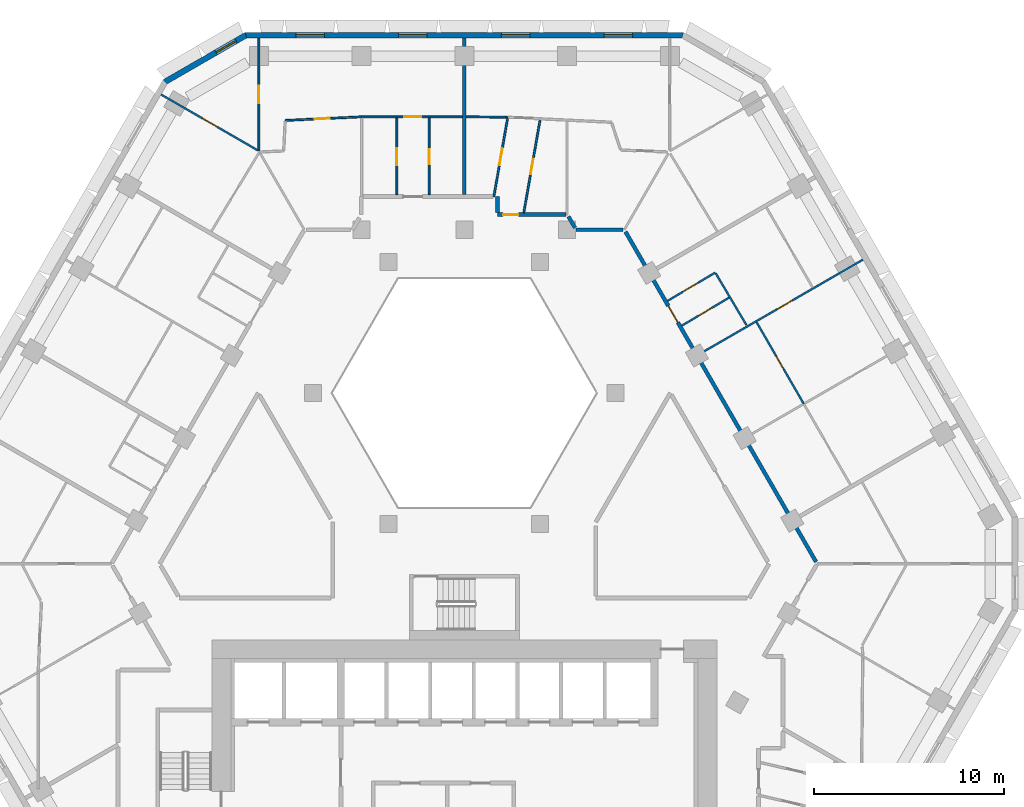
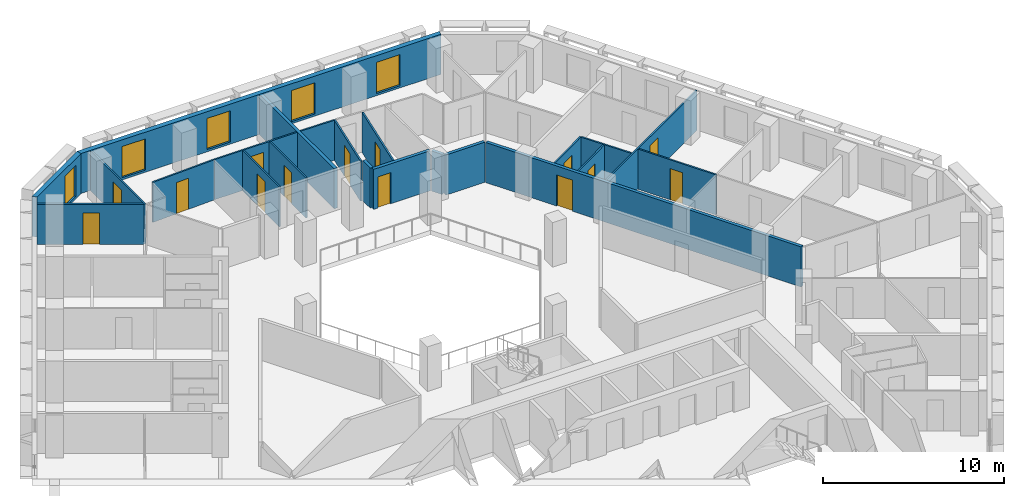
# One storey, part 8 of 15: 22 walls, 14 doors, 5 windows, 19 openings.
"""IFC4 building model written with IfcOpenShell, lengths in metres."""

from ifc_helpers import new_model, si_unit, direction, frame, frame_2d, origin, place, context, subcontext, project, spatial, polyline, rectangle, outline, extrude, material, layer, layer_set, type_object, element, fill, save


model = new_model("IFC4")

# Units and contexts
model_context = context("Model", 3, precision=1e-05, world=origin(), true_north=direction((0.0, 1.0)))
body_context = subcontext(model_context, "Body", "Model", "MODEL_VIEW")
ifc_project = project(units=[si_unit("LENGTHUNIT", "METRE"), si_unit("AREAUNIT", "SQUARE_METRE"), si_unit("VOLUMEUNIT", "CUBIC_METRE"), si_unit("PLANEANGLEUNIT", "RADIAN"), si_unit("MASSUNIT", "GRAM", prefix="KILO")], contexts=[model_context])

# Site, building, storey
site_placement = place(None, origin())
site = spatial("IfcSite", under=ifc_project, at=site_placement, CompositionType="ELEMENT")
building_placement = place(site_placement, origin())
building = spatial("IfcBuilding", under=site, at=building_placement, Name="Beryl Residences", CompositionType="ELEMENT")
storey_placement = place(building_placement, frame((0.0, 0.0, 72.0)))
storey = spatial("IfcBuildingStorey", under=building, at=storey_placement, Name="L21", CompositionType="ELEMENT", Elevation=72.0)

# Wall, openings, windows
ifc_material_1 = material(Name="Composite metal panel with mineral wool insulation")
ifc_layer_1 = layer(ifc_material_1, 0.300048828125)
ifc_layer_set_1 = layer_set([ifc_layer_1], Name="ES1 pale metal composite panel wall 300 mm")
wall_type_1 = type_object("IfcWallType", Name="ES1 pale metal composite panel wall 300 mm", PredefinedType="SOLIDWALL", material=ifc_layer_set_1)
wall_1_placement = place(storey_placement, frame((11.547119140625, 26.85009765625, 0.0), z_axis=(0.0, 0.0, 1.0), x_axis=(-1.0, 0.0, 0.0)))
wall_1 = element("IfcWall", 1, at=wall_1_placement, inside=storey, type_object=wall_type_1, Name="ES1 external wall L21 N", PredefinedType="SOLIDWALL", context=body_context, shape_type="SweptSolid", body=[
    extrude(outline(polyline([(0.0, -0.14990234375), (23.09423828125, -0.14990234375), (23.013916015625, 0.14990234375), (0.080322265625, 0.14990234375), (0.0, -0.14990234375)])), origin(), (0.0, 0.0, 1.0), 2.699951171875),
])
opening_1_placement = place(wall_1_placement, frame((2.677978515625, 0.0, 0.14990234375)))
opening_1 = element("IfcOpeningElement", 2, at=opening_1_placement, cuts=wall_1, Name="Opening W1", PredefinedType="OPENING", context=body_context, shape_type="SweptSolid", body=[
    extrude(rectangle(XDim=1.5, YDim=2.10009765625, at=frame_2d((0.75, 1.050048828125))), frame((0.0, 0.159912109375, 0.0), z_axis=(0.0, -1.0, 0.0), x_axis=(1.0, 0.0, 0.0)), (0.0, 0.0, 1.0), 0.320068359375),
])
opening_2_placement = place(wall_1_placement, frame((8.092041015625, 0.0, 0.14990234375)))
opening_2 = element("IfcOpeningElement", 3, at=opening_2_placement, cuts=wall_1, Name="Opening W1", PredefinedType="OPENING", context=body_context, shape_type="SweptSolid", body=[
    extrude(rectangle(XDim=1.5, YDim=2.10009765625, at=frame_2d((0.75, 1.050048828125))), frame((0.0, 0.159912109375, 0.0), z_axis=(0.0, -1.0, 0.0), x_axis=(1.0, 0.0, 0.0)), (0.0, 0.0, 1.0), 0.320068359375),
])
opening_3_placement = place(wall_1_placement, frame((13.50390625, 0.0, 0.14990234375)))
opening_3 = element("IfcOpeningElement", 4, at=opening_3_placement, cuts=wall_1, Name="Opening W1", PredefinedType="OPENING", context=body_context, shape_type="SweptSolid", body=[
    extrude(rectangle(XDim=1.5, YDim=2.10009765625, at=frame_2d((0.75, 1.050048828125))), frame((0.0, 0.159912109375, 0.0), z_axis=(0.0, -1.0, 0.0), x_axis=(1.0, 0.0, 0.0)), (0.0, 0.0, 1.0), 0.320068359375),
])
opening_4_placement = place(wall_1_placement, frame((18.9169921875, 0.0, 0.14990234375)))
opening_4 = element("IfcOpeningElement", 5, at=opening_4_placement, cuts=wall_1, Name="Opening W1", PredefinedType="OPENING", context=body_context, shape_type="SweptSolid", body=[
    extrude(rectangle(XDim=1.5, YDim=2.10009765625, at=frame_2d((0.75, 1.050048828125))), frame((0.0, 0.159912109375, 0.0), z_axis=(0.0, -1.0, 0.0), x_axis=(1.0, 0.0, 0.0)), (0.0, 0.0, 1.0), 0.320068359375),
])
ifc_material_2 = material(Name="Aluminium and clear glass", Category="aluminium")
window_type_1 = type_object("IfcWindowType", Name="W1 cell window 1500 x 2100 mm", PartitioningType="SINGLE_PANEL", PredefinedType="WINDOW", material=ifc_material_2)
window_1_placement = place(opening_1_placement, origin())
window_1 = element("IfcWindow", 6, at=window_1_placement, inside=storey, type_object=window_type_1, Name="W1 window L21 N 2", OverallHeight=2.10009765625, OverallWidth=1.5, PartitioningType="SINGLE_PANEL", PredefinedType="WINDOW", context=body_context, shape_type="SweptSolid", body=[
    extrude(rectangle(XDim=1.5, YDim=2.10009765625, at=frame_2d((0.75, 1.050048828125))), frame((0.0, 0.030029296875, 0.0), z_axis=(0.0, -1.0, 0.0), x_axis=(1.0, 0.0, 0.0)), (0.0, 0.0, 1.0), 0.06005859375),
])
fill(opening_1, window_1)
window_2_placement = place(opening_2_placement, origin())
window_2 = element("IfcWindow", 7, at=window_2_placement, inside=storey, type_object=window_type_1, Name="W1 window L21 N 4", OverallHeight=2.10009765625, OverallWidth=1.5, PartitioningType="SINGLE_PANEL", PredefinedType="WINDOW", context=body_context, shape_type="SweptSolid", body=[
    extrude(rectangle(XDim=1.5, YDim=2.10009765625, at=frame_2d((0.75, 1.050048828125))), frame((0.0, 0.030029296875, 0.0), z_axis=(0.0, -1.0, 0.0), x_axis=(1.0, 0.0, 0.0)), (0.0, 0.0, 1.0), 0.06005859375),
])
fill(opening_2, window_2)
window_3_placement = place(opening_3_placement, origin())
window_3 = element("IfcWindow", 8, at=window_3_placement, inside=storey, type_object=window_type_1, Name="W1 window L21 N 6", OverallHeight=2.10009765625, OverallWidth=1.5, PartitioningType="SINGLE_PANEL", PredefinedType="WINDOW", context=body_context, shape_type="SweptSolid", body=[
    extrude(rectangle(XDim=1.5, YDim=2.10009765625, at=frame_2d((0.75, 1.050048828125))), frame((0.0, 0.030029296875, 0.0), z_axis=(0.0, -1.0, 0.0), x_axis=(1.0, 0.0, 0.0)), (0.0, 0.0, 1.0), 0.06005859375),
])
fill(opening_3, window_3)
window_4_placement = place(opening_4_placement, origin())
window_4 = element("IfcWindow", 9, at=window_4_placement, inside=storey, type_object=window_type_1, Name="W1 window L21 N 8", OverallHeight=2.10009765625, OverallWidth=1.5, PartitioningType="SINGLE_PANEL", PredefinedType="WINDOW", context=body_context, shape_type="SweptSolid", body=[
    extrude(rectangle(XDim=1.5, YDim=2.10009765625, at=frame_2d((0.75, 1.050048828125))), frame((0.0, 0.030029296875, 0.0), z_axis=(0.0, -1.0, 0.0), x_axis=(1.0, 0.0, 0.0)), (0.0, 0.0, 1.0), 0.06005859375),
])
fill(opening_4, window_4)

# Wall, opening, window
wall_2_placement = place(storey_placement, frame((-11.471923828125, 26.8701171875, 0.0), z_axis=(0.0, 0.0, 1.0), x_axis=(-0.866022959057, -0.500004234368, 0.0)))
wall_2 = element("IfcWall", 10, at=wall_2_placement, inside=storey, type_object=wall_type_1, Name="ES1 external wall L21 N-NW", PredefinedType="SOLIDWALL", context=body_context, shape_type="SweptSolid", body=[
    extrude(outline(polyline([(0.0, -0.14990234375), (5.0, -0.14990234375), (4.919677734375, 0.14990234375), (0.080322265625, 0.14990234375), (0.0, -0.14990234375)])), origin(), (0.0, 0.0, 1.0), 2.699951171875),
])
opening_5_placement = place(wall_2_placement, frame((0.64990234375, 0.0, 0.14990234375)))
opening_5 = element("IfcOpeningElement", 11, at=opening_5_placement, cuts=wall_2, Name="Opening W2", PredefinedType="OPENING", context=body_context, shape_type="SweptSolid", body=[
    extrude(rectangle(XDim=1.199951171875, YDim=2.10009765625, at=frame_2d((0.60009765625, 1.050048828125))), frame((0.0, 0.159912109375, 0.0), z_axis=(0.0, -1.0, 0.0), x_axis=(1.0, 0.0, 0.0)), (0.0, 0.0, 1.0), 0.320068359375),
])
ifc_material_3 = material(Name="Aluminium and clear glass", Category="aluminium")
window_type_2 = type_object("IfcWindowType", Name="W2 chamfer window 1200 x 2100 mm", PartitioningType="SINGLE_PANEL", PredefinedType="WINDOW", material=ifc_material_3)
window_5_placement = place(opening_5_placement, origin())
window_5 = element("IfcWindow", 12, at=window_5_placement, inside=storey, type_object=window_type_2, Name="W2 window L21 N-NW 1", OverallHeight=2.10009765625, OverallWidth=1.199951171875, PartitioningType="SINGLE_PANEL", PredefinedType="WINDOW", context=body_context, shape_type="SweptSolid", body=[
    extrude(rectangle(XDim=1.199951171875, YDim=2.10009765625, at=frame_2d((0.60009765625, 1.050048828125))), frame((0.0, 0.030029296875, 0.0), z_axis=(0.0, -1.0, 0.0), x_axis=(1.0, 0.0, 0.0)), (0.0, 0.0, 1.0), 0.06005859375),
])
fill(opening_5, window_5)

# Walls
ifc_material_4 = material(Name="Gypsum board partition on steel studs", Category="steel")
ifc_layer_2 = layer(ifc_material_4, 0.10009765625)
ifc_layer_set_2 = layer_set([ifc_layer_2], Name="PT1 partition 100 mm gypsum board on steel studs")
wall_type_2 = type_object("IfcWallType", Name="PT1 partition 100 mm gypsum board on steel studs", PredefinedType="PARTITIONING", material=ifc_layer_set_2)
wall_3_placement = place(storey_placement, frame((0.09912109375, 22.549072265625, 0.0), z_axis=(0.0, 0.0, 1.0), x_axis=(0.99995279897, -0.009715957599, 0.0)))
element("IfcWall", 13, at=wall_3_placement, inside=storey, type_object=wall_type_2, Name="Wall PT1 L21 001", PredefinedType="PARTITIONING", context=body_context, shape_type="SweptSolid", body=[
    extrude(rectangle(XDim=2.160888671875, YDim=0.10009765625, at=frame_2d((1.08056640625, 0.0))), origin(), (0.0, 0.0, 1.0), 2.699951171875),
])
wall_4_placement = place(storey_placement, frame((13.2470703125, 14.300048828125, 0.0), z_axis=(0.0, 0.0, 1.0), x_axis=(0.510312234073, -0.85998919979, 0.0)))
element("IfcWall", 14, at=wall_4_placement, inside=storey, type_object=wall_type_2, Name="Wall PT1 L21 004", PredefinedType="PARTITIONING", context=body_context, shape_type="SweptSolid", body=[
    extrude(rectangle(XDim=3.162841796875, YDim=0.10009765625, at=frame_2d((1.58154296875, 0.0))), origin(), (0.0, 0.0, 1.0), 2.699951171875),
])

# Wall, opening, door
wall_5_placement = place(storey_placement, frame((15.39794921875, 11.73095703125, 0.0), z_axis=(0.0, 0.0, 1.0), x_axis=(0.500010064822, -0.866019592779, 0.0)))
wall_5 = element("IfcWall", 15, at=wall_5_placement, inside=storey, type_object=wall_type_2, Name="Wall PT1 L21 006", PredefinedType="PARTITIONING", context=body_context, shape_type="SweptSolid", body=[
    extrude(rectangle(XDim=4.97216796875, YDim=0.10009765625, at=frame_2d((2.486083984375, 0.0))), origin(), (0.0, 0.0, 1.0), 2.699951171875),
])
opening_6_placement = place(wall_5_placement, frame((2.06103515625, 0.0, 0.0)))
opening_6 = element("IfcOpeningElement", 16, at=opening_6_placement, cuts=wall_5, Name="Opening D0814", PredefinedType="OPENING", context=body_context, shape_type="SweptSolid", body=[
    extrude(rectangle(XDim=0.800048828125, YDim=2.10009765625, at=frame_2d((0.39990234375, 1.050048828125))), frame((0.0, 0.06005859375, 0.0), z_axis=(0.0, -1.0, 0.0), x_axis=(1.0, 0.0, 0.0)), (0.0, 0.0, 1.0), 0.1201171875),
])
ifc_material_5 = material(Name="Timber door leaf", Category="wood")
door_type_1 = type_object("IfcDoorType", Name="D3 bathroom door 800 x 2100 mm", OperationType="SINGLE_SWING_LEFT", PredefinedType="DOOR", material=ifc_material_5)
door_1_placement = place(opening_6_placement, origin())
door_1 = element("IfcDoor", 17, at=door_1_placement, inside=storey, type_object=door_type_1, Name="Door D0814 L21 001", OperationType="SINGLE_SWING_RIGHT", OverallHeight=2.10009765625, OverallWidth=0.800048828125, PredefinedType="DOOR", context=body_context, shape_type="SweptSolid", body=[
    extrude(rectangle(XDim=0.800048828125, YDim=2.10009765625, at=frame_2d((0.39990234375, 1.050048828125))), frame((0.0, 0.02490234375, 0.0), z_axis=(0.0, -1.0, 0.0), x_axis=(1.0, 0.0, 0.0)), (0.0, 0.0, 1.0), 0.050048828125),
])
fill(opening_6, door_1)

wall_6_placement = place(storey_placement, frame((-15.97705078125, 23.72509765625, 0.0), z_axis=(0.0, 0.0, 1.0), x_axis=(0.866028213039, -0.499995134196, 0.0)))
wall_6 = element("IfcWall", 18, at=wall_6_placement, inside=storey, type_object=wall_type_2, Name="Wall PT1 L21 025", PredefinedType="PARTITIONING", context=body_context, shape_type="SweptSolid", body=[
    extrude(rectangle(XDim=5.89013671875, YDim=0.10009765625, at=frame_2d((2.945068359375, 0.0))), origin(), (0.0, 0.0, 1.0), 2.699951171875),
])
opening_7_placement = place(wall_6_placement, frame((2.52392578125, 0.0, 0.0)))
opening_7 = element("IfcOpeningElement", 19, at=opening_7_placement, cuts=wall_6, Name="Opening D0829", PredefinedType="OPENING", context=body_context, shape_type="SweptSolid", body=[
    extrude(rectangle(XDim=0.89990234375, YDim=2.10009765625, at=frame_2d((0.449951171875, 1.050048828125))), frame((0.0, 0.06005859375, 0.0), z_axis=(0.0, -1.0, 0.0), x_axis=(1.0, 0.0, 0.0)), (0.0, 0.0, 1.0), 0.1201171875),
])
ifc_material_6 = material(Name="Timber door leaf", Category="wood")
door_type_2 = type_object("IfcDoorType", Name="D2 room door 900 x 2100 mm", OperationType="SINGLE_SWING_LEFT", PredefinedType="DOOR", material=ifc_material_6)
door_2_placement = place(opening_7_placement, origin())
door_2 = element("IfcDoor", 20, at=door_2_placement, inside=storey, type_object=door_type_2, Name="Door D0829 L21 001", OperationType="SINGLE_SWING_LEFT", OverallHeight=2.10009765625, OverallWidth=0.89990234375, PredefinedType="DOOR", context=body_context, shape_type="SweptSolid", body=[
    extrude(rectangle(XDim=0.89990234375, YDim=2.10009765625, at=frame_2d((0.449951171875, 1.050048828125))), frame((0.0, 0.02490234375, 0.0), z_axis=(0.0, -1.0, 0.0), x_axis=(1.0, 0.0, 0.0)), (0.0, 0.0, 1.0), 0.050048828125),
])
fill(opening_7, door_2)

wall_7_placement = place(storey_placement, frame((-5.384033203125, 22.550048828125, 0.0), z_axis=(0.0, 0.0, 1.0), x_axis=(1.0, 0.0, 0.0)))
wall_7 = element("IfcWall", 21, at=wall_7_placement, inside=storey, type_object=wall_type_2, Name="Wall PT1 L21 032", PredefinedType="PARTITIONING", context=body_context, shape_type="SweptSolid", body=[
    extrude(rectangle(XDim=5.282958984375, YDim=0.10009765625, at=frame_2d((2.6416015625, 0.0))), origin(), (0.0, 0.0, 1.0), 2.699951171875),
])
opening_8_placement = place(wall_7_placement, frame((2.22607421875, 0.0, 0.0)))
opening_8 = element("IfcOpeningElement", 22, at=opening_8_placement, cuts=wall_7, Name="Opening D0826", PredefinedType="OPENING", context=body_context, shape_type="SweptSolid", body=[
    extrude(rectangle(XDim=0.89990234375, YDim=2.10009765625, at=frame_2d((0.449951171875, 1.050048828125))), frame((0.0, 0.06005859375, 0.0), z_axis=(0.0, -1.0, 0.0), x_axis=(1.0, 0.0, 0.0)), (0.0, 0.0, 1.0), 0.1201171875),
])
door_3_placement = place(opening_8_placement, origin())
door_3 = element("IfcDoor", 23, at=door_3_placement, inside=storey, type_object=door_type_2, Name="Door D0826 L21 001", OperationType="SINGLE_SWING_RIGHT", OverallHeight=2.10009765625, OverallWidth=0.89990234375, PredefinedType="DOOR", context=body_context, shape_type="SweptSolid", body=[
    extrude(rectangle(XDim=0.89990234375, YDim=2.10009765625, at=frame_2d((0.449951171875, 1.050048828125))), frame((0.0, 0.02490234375, 0.0), z_axis=(0.0, -1.0, 0.0), x_axis=(1.0, 0.0, 0.0)), (0.0, 0.0, 1.0), 0.050048828125),
])
fill(opening_8, door_3)

wall_8_placement = place(storey_placement, frame((3.134033203125, 17.5, 0.0), z_axis=(0.0, 0.0, 1.0), x_axis=(0.172821216702, 0.984953210593, 0.0)))
wall_8 = element("IfcWall", 24, at=wall_8_placement, inside=storey, type_object=wall_type_2, Name="Wall PT1 L21 042", PredefinedType="PARTITIONING", context=body_context, shape_type="SweptSolid", body=[
    extrude(rectangle(XDim=4.9697265625, YDim=0.10009765625, at=frame_2d((2.48486328125, 0.0))), origin(), (0.0, 0.0, 1.0), 2.699951171875),
])
opening_9_placement = place(wall_8_placement, frame((2.05908203125, 0.0, 0.0)))
opening_9 = element("IfcOpeningElement", 25, at=opening_9_placement, cuts=wall_8, Name="Opening D0816", PredefinedType="OPENING", context=body_context, shape_type="SweptSolid", body=[
    extrude(rectangle(XDim=0.800048828125, YDim=2.10009765625, at=frame_2d((0.39990234375, 1.050048828125))), frame((0.0, 0.06005859375, 0.0), z_axis=(0.0, -1.0, 0.0), x_axis=(1.0, 0.0, 0.0)), (0.0, 0.0, 1.0), 0.1201171875),
])
door_4_placement = place(opening_9_placement, origin())
door_4 = element("IfcDoor", 26, at=door_4_placement, inside=storey, type_object=door_type_1, Name="Door D0816 L21 001", OperationType="SINGLE_SWING_RIGHT", OverallHeight=2.10009765625, OverallWidth=0.800048828125, PredefinedType="DOOR", context=body_context, shape_type="SweptSolid", body=[
    extrude(rectangle(XDim=0.800048828125, YDim=2.10009765625, at=frame_2d((0.39990234375, 1.050048828125))), frame((0.0, 0.02490234375, 0.0), z_axis=(0.0, -1.0, 0.0), x_axis=(1.0, 0.0, 0.0)), (0.0, 0.0, 1.0), 0.050048828125),
])
fill(opening_9, door_4)

wall_9_placement = place(storey_placement, frame((1.556884765625, 18.35009765625, 0.0), z_axis=(0.0, 0.0, 1.0), x_axis=(0.173062973099, 0.984910761106, 0.0)))
wall_9 = element("IfcWall", 27, at=wall_9_placement, inside=storey, type_object=wall_type_2, Name="Wall PT1 L21 043", PredefinedType="PARTITIONING", context=body_context, shape_type="SweptSolid", body=[
    extrude(rectangle(XDim=4.241943359375, YDim=0.10009765625, at=frame_2d((2.12109375, 0.0))), origin(), (0.0, 0.0, 1.0), 2.699951171875),
])
opening_10_placement = place(wall_9_placement, frame((1.6708984375, 0.0, 0.0)))
opening_10 = element("IfcOpeningElement", 28, at=opening_10_placement, cuts=wall_9, Name="Opening D0817", PredefinedType="OPENING", context=body_context, shape_type="SweptSolid", body=[
    extrude(rectangle(XDim=0.89990234375, YDim=2.10009765625, at=frame_2d((0.449951171875, 1.050048828125))), frame((0.0, 0.06005859375, 0.0), z_axis=(0.0, -1.0, 0.0), x_axis=(1.0, 0.0, 0.0)), (0.0, 0.0, 1.0), 0.1201171875),
])
door_5_placement = place(opening_10_placement, origin())
door_5 = element("IfcDoor", 29, at=door_5_placement, inside=storey, type_object=door_type_2, Name="Door D0817 L21 001", OperationType="SINGLE_SWING_LEFT", OverallHeight=2.10009765625, OverallWidth=0.89990234375, PredefinedType="DOOR", context=body_context, shape_type="SweptSolid", body=[
    extrude(rectangle(XDim=0.89990234375, YDim=2.10009765625, at=frame_2d((0.449951171875, 1.050048828125))), frame((0.0, 0.02490234375, 0.0), z_axis=(0.0, -1.0, 0.0), x_axis=(1.0, 0.0, 0.0)), (0.0, 0.0, 1.0), 0.050048828125),
])
fill(opening_10, door_5)

wall_10_placement = place(storey_placement, frame((-3.556884765625, 18.449951171875, 0.0), z_axis=(0.0, 0.0, 1.0), x_axis=(0.0, 1.0, 0.0)))
wall_10 = element("IfcWall", 30, at=wall_10_placement, inside=storey, type_object=wall_type_2, Name="Wall PT1 L21 053", PredefinedType="PARTITIONING", context=body_context, shape_type="SweptSolid", body=[
    extrude(rectangle(XDim=4.050048828125, YDim=0.10009765625, at=frame_2d((2.02490234375, 0.0))), origin(), (0.0, 0.0, 1.0), 2.699951171875),
])
opening_11_placement = place(wall_10_placement, frame((1.550048828125, 0.0, 0.0)))
opening_11 = element("IfcOpeningElement", 31, at=opening_11_placement, cuts=wall_10, Name="Opening D0825", PredefinedType="OPENING", context=body_context, shape_type="SweptSolid", body=[
    extrude(rectangle(XDim=0.89990234375, YDim=2.10009765625, at=frame_2d((0.449951171875, 1.050048828125))), frame((0.0, 0.06005859375, 0.0), z_axis=(0.0, -1.0, 0.0), x_axis=(1.0, 0.0, 0.0)), (0.0, 0.0, 1.0), 0.1201171875),
])
door_6_placement = place(opening_11_placement, origin())
door_6 = element("IfcDoor", 32, at=door_6_placement, inside=storey, type_object=door_type_2, Name="Door D0825 L21 001", OperationType="SINGLE_SWING_LEFT", OverallHeight=2.10009765625, OverallWidth=0.89990234375, PredefinedType="DOOR", context=body_context, shape_type="SweptSolid", body=[
    extrude(rectangle(XDim=0.89990234375, YDim=2.10009765625, at=frame_2d((0.449951171875, 1.050048828125))), frame((0.0, 0.02490234375, 0.0), z_axis=(0.0, -1.0, 0.0), x_axis=(1.0, 0.0, 0.0)), (0.0, 0.0, 1.0), 0.050048828125),
])
fill(opening_11, door_6)

wall_11_placement = place(storey_placement, frame((-10.826904296875, 20.7529296875, 0.0), z_axis=(0.0, 0.0, 1.0), x_axis=(0.0, 1.0, 0.0)))
wall_11 = element("IfcWall", 33, at=wall_11_placement, inside=storey, type_object=wall_type_2, Name="Wall PT1 L21 056", PredefinedType="PARTITIONING", context=body_context, shape_type="SweptSolid", body=[
    extrude(rectangle(XDim=5.947021484375, YDim=0.10009765625, at=frame_2d((2.9736328125, 0.0))), origin(), (0.0, 0.0, 1.0), 2.699951171875),
])
opening_12_placement = place(wall_11_placement, frame((2.52294921875, 0.0, 0.0)))
opening_12 = element("IfcOpeningElement", 34, at=opening_12_placement, cuts=wall_11, Name="Opening D0827", PredefinedType="OPENING", context=body_context, shape_type="SweptSolid", body=[
    extrude(rectangle(XDim=0.89990234375, YDim=2.10009765625, at=frame_2d((0.449951171875, 1.050048828125))), frame((0.0, 0.06005859375, 0.0), z_axis=(0.0, -1.0, 0.0), x_axis=(1.0, 0.0, 0.0)), (0.0, 0.0, 1.0), 0.1201171875),
])
door_7_placement = place(opening_12_placement, origin())
door_7 = element("IfcDoor", 35, at=door_7_placement, inside=storey, type_object=door_type_2, Name="Door D0827 L21 001", OperationType="SINGLE_SWING_LEFT", OverallHeight=2.10009765625, OverallWidth=0.89990234375, PredefinedType="DOOR", context=body_context, shape_type="SweptSolid", body=[
    extrude(rectangle(XDim=0.89990234375, YDim=2.10009765625, at=frame_2d((0.449951171875, 1.050048828125))), frame((0.0, 0.02490234375, 0.0), z_axis=(0.0, -1.0, 0.0), x_axis=(1.0, 0.0, 0.0)), (0.0, 0.0, 1.0), 0.050048828125),
])
fill(opening_12, door_7)

wall_12_placement = place(storey_placement, frame((-1.85693359375, 18.449951171875, 0.0), z_axis=(0.0, 0.0, 1.0), x_axis=(0.0, 1.0, 0.0)))
wall_12 = element("IfcWall", 36, at=wall_12_placement, inside=storey, type_object=wall_type_2, Name="Wall PT1 L21 058", PredefinedType="PARTITIONING", context=body_context, shape_type="SweptSolid", body=[
    extrude(rectangle(XDim=4.050048828125, YDim=0.10009765625, at=frame_2d((2.02490234375, 0.0))), origin(), (0.0, 0.0, 1.0), 2.699951171875),
])
opening_13_placement = place(wall_12_placement, frame((1.60009765625, 0.0, 0.0)))
opening_13 = element("IfcOpeningElement", 37, at=opening_13_placement, cuts=wall_12, Name="Opening D0824", PredefinedType="OPENING", context=body_context, shape_type="SweptSolid", body=[
    extrude(rectangle(XDim=0.800048828125, YDim=2.10009765625, at=frame_2d((0.39990234375, 1.050048828125))), frame((0.0, 0.06005859375, 0.0), z_axis=(0.0, -1.0, 0.0), x_axis=(1.0, 0.0, 0.0)), (0.0, 0.0, 1.0), 0.1201171875),
])
door_8_placement = place(opening_13_placement, origin())
door_8 = element("IfcDoor", 38, at=door_8_placement, inside=storey, type_object=door_type_1, Name="Door D0824 L21 001", OperationType="SINGLE_SWING_RIGHT", OverallHeight=2.10009765625, OverallWidth=0.800048828125, PredefinedType="DOOR", context=body_context, shape_type="SweptSolid", body=[
    extrude(rectangle(XDim=0.800048828125, YDim=2.10009765625, at=frame_2d((0.39990234375, 1.050048828125))), frame((0.0, 0.02490234375, 0.0), z_axis=(0.0, -1.0, 0.0), x_axis=(1.0, 0.0, 0.0)), (0.0, 0.0, 1.0), 0.050048828125),
])
fill(opening_13, door_8)

wall_13_placement = place(storey_placement, frame((-9.43505859375, 22.35791015625, 0.0), z_axis=(0.0, 0.0, 1.0), x_axis=(0.998871548472, 0.04749346959, 0.0)))
wall_13 = element("IfcWall", 39, at=wall_13_placement, inside=storey, type_object=wall_type_2, Name="Wall PT1 L21 062", PredefinedType="PARTITIONING", context=body_context, shape_type="SweptSolid", body=[
    extrude(rectangle(XDim=4.045654296875, YDim=0.10009765625, at=frame_2d((2.02294921875, 0.0))), origin(), (0.0, 0.0, 1.0), 2.699951171875),
])
opening_14_placement = place(wall_13_placement, frame((1.554931640625, 0.0, 0.0)))
opening_14 = element("IfcOpeningElement", 40, at=opening_14_placement, cuts=wall_13, Name="Opening D0828", PredefinedType="OPENING", context=body_context, shape_type="SweptSolid", body=[
    extrude(rectangle(XDim=0.800048828125, YDim=2.10009765625, at=frame_2d((0.39990234375, 1.050048828125))), frame((0.0, 0.06005859375, 0.0), z_axis=(0.0, -1.0, 0.0), x_axis=(1.0, 0.0, 0.0)), (0.0, 0.0, 1.0), 0.1201171875),
])
door_9_placement = place(opening_14_placement, origin())
door_9 = element("IfcDoor", 41, at=door_9_placement, inside=storey, type_object=door_type_1, Name="Door D0828 L21 001", OperationType="SINGLE_SWING_RIGHT", OverallHeight=2.10009765625, OverallWidth=0.800048828125, PredefinedType="DOOR", context=body_context, shape_type="SweptSolid", body=[
    extrude(rectangle(XDim=0.800048828125, YDim=2.10009765625, at=frame_2d((0.39990234375, 1.050048828125))), frame((0.0, 0.02490234375, 0.0), z_axis=(0.0, -1.0, 0.0), x_axis=(1.0, 0.0, 0.0)), (0.0, 0.0, 1.0), 0.050048828125),
])
fill(opening_14, door_9)

wall_14_placement = place(storey_placement, frame((12.342041015625, 10.02490234375, 0.0), z_axis=(0.0, 0.0, 1.0), x_axis=(0.865992435864, 0.500057097767, 0.0)))
wall_14 = element("IfcWall", 42, at=wall_14_placement, inside=storey, type_object=wall_type_2, Name="Wall PT1 L21 067", PredefinedType="PARTITIONING", context=body_context, shape_type="SweptSolid", body=[
    extrude(rectangle(XDim=9.998779296875, YDim=0.10009765625, at=frame_2d((4.99951171875, 0.0))), origin(), (0.0, 0.0, 1.0), 2.699951171875),
])
opening_15_placement = place(wall_14_placement, frame((4.794921875, 0.0, 0.0)))
opening_15 = element("IfcOpeningElement", 43, at=opening_15_placement, cuts=wall_14, Name="Opening D0811", PredefinedType="OPENING", context=body_context, shape_type="SweptSolid", body=[
    extrude(rectangle(XDim=0.89990234375, YDim=2.10009765625, at=frame_2d((0.449951171875, 1.050048828125))), frame((0.0, 0.06005859375, 0.0), z_axis=(0.0, -1.0, 0.0), x_axis=(1.0, 0.0, 0.0)), (0.0, 0.0, 1.0), 0.1201171875),
])
door_10_placement = place(opening_15_placement, origin())
door_10 = element("IfcDoor", 44, at=door_10_placement, inside=storey, type_object=door_type_2, Name="Door D0811 L21 001", OperationType="SINGLE_SWING_LEFT", OverallHeight=2.10009765625, OverallWidth=0.89990234375, PredefinedType="DOOR", context=body_context, shape_type="SweptSolid", body=[
    extrude(rectangle(XDim=0.89990234375, YDim=2.10009765625, at=frame_2d((0.449951171875, 1.050048828125))), frame((0.0, 0.02490234375, 0.0), z_axis=(0.0, -1.0, 0.0), x_axis=(1.0, 0.0, 0.0)), (0.0, 0.0, 1.0), 0.050048828125),
])
fill(opening_15, door_10)

wall_15_placement = place(storey_placement, frame((11.4619140625, 11.548095703125, 0.0), z_axis=(0.0, 0.0, 1.0), x_axis=(0.860106181478, 0.510115042498, 0.0)))
wall_15 = element("IfcWall", 45, at=wall_15_placement, inside=storey, type_object=wall_type_2, Name="Wall PT1 L21 068", PredefinedType="PARTITIONING", context=body_context, shape_type="SweptSolid", body=[
    extrude(rectangle(XDim=2.889404296875, YDim=0.10009765625, at=frame_2d((1.44482421875, 0.0))), origin(), (0.0, 0.0, 1.0), 2.699951171875),
])
opening_16_placement = place(wall_15_placement, frame((1.01904296875, 0.0, 0.0)))
opening_16 = element("IfcOpeningElement", 46, at=opening_16_placement, cuts=wall_15, Name="Opening D0809", PredefinedType="OPENING", context=body_context, shape_type="SweptSolid", body=[
    extrude(rectangle(XDim=0.800048828125, YDim=2.10009765625, at=frame_2d((0.39990234375, 1.050048828125))), frame((0.0, 0.06005859375, 0.0), z_axis=(0.0, -1.0, 0.0), x_axis=(1.0, 0.0, 0.0)), (0.0, 0.0, 1.0), 0.1201171875),
])
door_11_placement = place(opening_16_placement, origin())
door_11 = element("IfcDoor", 47, at=door_11_placement, inside=storey, type_object=door_type_1, Name="Door D0809 L21 001", OperationType="SINGLE_SWING_LEFT", OverallHeight=2.10009765625, OverallWidth=0.800048828125, PredefinedType="DOOR", context=body_context, shape_type="SweptSolid", body=[
    extrude(rectangle(XDim=0.800048828125, YDim=2.10009765625, at=frame_2d((0.39990234375, 1.050048828125))), frame((0.0, 0.02490234375, 0.0), z_axis=(0.0, -1.0, 0.0), x_axis=(1.0, 0.0, 0.0)), (0.0, 0.0, 1.0), 0.050048828125),
])
fill(opening_16, door_11)

wall_16_placement = place(storey_placement, frame((10.708984375, 12.85302734375, 0.0), z_axis=(0.0, 0.0, 1.0), x_axis=(0.859991215576, 0.510308837011, 0.0)))
wall_16 = element("IfcWall", 48, at=wall_16_placement, inside=storey, type_object=wall_type_2, Name="Wall PT1 L21 069", PredefinedType="PARTITIONING", context=body_context, shape_type="SweptSolid", body=[
    extrude(rectangle(XDim=2.919677734375, YDim=0.10009765625, at=frame_2d((1.4599609375, 0.0))), origin(), (0.0, 0.0, 1.0), 2.699951171875),
])
opening_17_placement = place(wall_16_placement, frame((0.9599609375, 0.0, 0.0)))
opening_17 = element("IfcOpeningElement", 49, at=opening_17_placement, cuts=wall_16, Name="Opening D0808", PredefinedType="OPENING", context=body_context, shape_type="SweptSolid", body=[
    extrude(rectangle(XDim=0.89990234375, YDim=2.10009765625, at=frame_2d((0.449951171875, 1.050048828125))), frame((0.0, 0.06005859375, 0.0), z_axis=(0.0, -1.0, 0.0), x_axis=(1.0, 0.0, 0.0)), (0.0, 0.0, 1.0), 0.1201171875),
])
door_12_placement = place(opening_17_placement, origin())
door_12 = element("IfcDoor", 50, at=door_12_placement, inside=storey, type_object=door_type_2, Name="Door D0808 L21 001", OperationType="SINGLE_SWING_RIGHT", OverallHeight=2.10009765625, OverallWidth=0.89990234375, PredefinedType="DOOR", context=body_context, shape_type="SweptSolid", body=[
    extrude(rectangle(XDim=0.89990234375, YDim=2.10009765625, at=frame_2d((0.449951171875, 1.050048828125))), frame((0.0, 0.02490234375, 0.0), z_axis=(0.0, -1.0, 0.0), x_axis=(1.0, 0.0, 0.0)), (0.0, 0.0, 1.0), 0.050048828125),
])
fill(opening_17, door_12)

# Walls
ifc_material_7 = material(Name="Acoustic double stud gypsum board wall")
ifc_layer_3 = layer(ifc_material_7, 0.199951171875)
ifc_layer_set_3 = layer_set([ifc_layer_3], Name="PT3 party wall 200 mm acoustic double stud")
wall_type_3 = type_object("IfcWallType", Name="PT3 party wall 200 mm acoustic double stud", PredefinedType="PARTITIONING", material=ifc_layer_set_3)
wall_17_placement = place(storey_placement, frame((-0.0009765625, 18.449951171875, 0.0), z_axis=(0.0, 0.0, 1.0), x_axis=(0.0, 1.0, 0.0)))
element("IfcWall", 51, at=wall_17_placement, inside=storey, type_object=wall_type_3, Name="Wall PT3 L21 009", PredefinedType="PARTITIONING", context=body_context, shape_type="SweptSolid", body=[
    extrude(rectangle(XDim=8.25, YDim=0.199951171875, at=frame_2d((4.125, 0.0))), origin(), (0.0, 0.0, 1.0), 2.699951171875),
])
ifc_material_8 = material(Name="Double stud gypsum board wall")
ifc_layer_4 = layer(ifc_material_8, 0.199951171875)
ifc_layer_set_4 = layer_set([ifc_layer_4], Name="PT4 corridor wall 200 mm double stud")
wall_type_4 = type_object("IfcWallType", Name="PT4 corridor wall 200 mm double stud", PredefinedType="PARTITIONING", material=ifc_layer_set_4)
wall_18_placement = place(storey_placement, frame((5.485107421875, 17.300048828125, 0.0), z_axis=(0.0, 0.0, 1.0), x_axis=(0.499437640892, -0.866349838611, 0.0)))
element("IfcWall", 52, at=wall_18_placement, inside=storey, type_object=wall_type_4, Name="Wall PT4 L21 004", PredefinedType="PARTITIONING", context=body_context, shape_type="SweptSolid", body=[
    extrude(rectangle(XDim=0.692626953125, YDim=0.199951171875, at=frame_2d((0.34619140625, 0.0))), origin(), (0.0, 0.0, 1.0), 2.699951171875),
])

# Wall, opening, door
wall_19_placement = place(storey_placement, frame((8.488037109375, 16.5, 0.0), z_axis=(0.0, 0.0, 1.0), x_axis=(0.499986836607, -0.86603300354, 0.0)))
wall_19 = element("IfcWall", 53, at=wall_19_placement, inside=storey, type_object=wall_type_4, Name="Wall PT4 L21 006", PredefinedType="PARTITIONING", context=body_context, shape_type="SweptSolid", body=[
    extrude(rectangle(XDim=20.09033203125, YDim=0.199951171875, at=frame_2d((10.045166015625, 0.0))), origin(), (0.0, 0.0, 1.0), 2.699951171875),
])
opening_18_placement = place(wall_19_placement, frame((4.52294921875, 0.0, 0.0)))
opening_18 = element("IfcOpeningElement", 54, at=opening_18_placement, cuts=wall_19, Name="Opening D0807", PredefinedType="OPENING", context=body_context, shape_type="SweptSolid", body=[
    extrude(rectangle(XDim=1.0, YDim=2.10009765625, at=frame_2d((0.5, 1.050048828125))), frame((0.0, 0.10986328125, 0.0), z_axis=(0.0, -1.0, 0.0), x_axis=(1.0, 0.0, 0.0)), (0.0, 0.0, 1.0), 0.219970703125),
])
ifc_material_9 = material(Name="Timber door leaf", Category="wood")
door_type_3 = type_object("IfcDoorType", Name="D1 flat entrance door 1000 x 2100 mm", OperationType="SINGLE_SWING_LEFT", PredefinedType="DOOR", material=ifc_material_9)
door_13_placement = place(opening_18_placement, origin())
door_13 = element("IfcDoor", 55, at=door_13_placement, inside=storey, type_object=door_type_3, Name="Door D0807 L21 001", OperationType="SINGLE_SWING_LEFT", OverallHeight=2.10009765625, OverallWidth=1.0, PredefinedType="DOOR", context=body_context, shape_type="SweptSolid", body=[
    extrude(rectangle(XDim=1.0, YDim=2.10009765625, at=frame_2d((0.5, 1.050048828125))), frame((0.0, 0.02490234375, 0.0), z_axis=(0.0, -1.0, 0.0), x_axis=(1.0, 0.0, 0.0)), (0.0, 0.0, 1.0), 0.050048828125),
])
fill(opening_18, door_13)

# Walls
wall_20_placement = place(storey_placement, frame((1.7490234375, 18.35009765625, 0.0), z_axis=(0.0, 0.0, 1.0), x_axis=(0.0, -1.0, 0.0)))
element("IfcWall", 56, at=wall_20_placement, inside=storey, type_object=wall_type_4, Name="Wall PT4 L21 012", PredefinedType="PARTITIONING", context=body_context, shape_type="SweptSolid", body=[
    extrude(rectangle(XDim=0.84912109375, YDim=0.199951171875, at=frame_2d((0.424560546875, 0.0))), origin(), (0.0, 0.0, 1.0), 2.699951171875),
])
wall_21_placement = place(storey_placement, frame((5.888916015625, 16.60009765625, 0.0), z_axis=(0.0, 0.0, 1.0), x_axis=(1.0, 0.0, 0.0)))
element("IfcWall", 57, at=wall_21_placement, inside=storey, type_object=wall_type_4, Name="Wall PT4 L21 021", PredefinedType="PARTITIONING", context=body_context, shape_type="SweptSolid", body=[
    extrude(rectangle(XDim=2.483154296875, YDim=0.199951171875, at=frame_2d((1.24169921875, 0.0))), origin(), (0.0, 0.0, 1.0), 2.699951171875),
])

# Wall, opening, door
wall_22_placement = place(storey_placement, frame((1.75, 17.39990234375, 0.0), z_axis=(0.0, 0.0, 1.0), x_axis=(1.0, 0.0, 0.0)))
wall_22 = element("IfcWall", 58, at=wall_22_placement, inside=storey, type_object=wall_type_4, Name="Wall PT4 L21 022", PredefinedType="PARTITIONING", context=body_context, shape_type="SweptSolid", body=[
    extrude(rectangle(XDim=3.612060546875, YDim=0.199951171875, at=frame_2d((1.80615234375, 0.0))), origin(), (0.0, 0.0, 1.0), 2.699951171875),
])
opening_19_placement = place(wall_22_placement, frame((0.2919921875, 0.0, 0.0)))
opening_19 = element("IfcOpeningElement", 59, at=opening_19_placement, cuts=wall_22, Name="Opening D0815", PredefinedType="OPENING", context=body_context, shape_type="SweptSolid", body=[
    extrude(rectangle(XDim=0.800048828125, YDim=2.10009765625, at=frame_2d((0.39990234375, 1.050048828125))), frame((0.0, 0.10986328125, 0.0), z_axis=(0.0, -1.0, 0.0), x_axis=(1.0, 0.0, 0.0)), (0.0, 0.0, 1.0), 0.219970703125),
])
ifc_material_10 = material(Name="Timber door leaf", Category="wood")
door_type_4 = type_object("IfcDoorType", Name="D12 flat entrance door 800 x 2100 mm", OperationType="SINGLE_SWING_LEFT", PredefinedType="DOOR", material=ifc_material_10)
door_14_placement = place(opening_19_placement, origin())
door_14 = element("IfcDoor", 60, at=door_14_placement, inside=storey, type_object=door_type_4, Name="Door D0815 L21 001", OperationType="SINGLE_SWING_LEFT", OverallHeight=2.10009765625, OverallWidth=0.800048828125, PredefinedType="DOOR", context=body_context, shape_type="SweptSolid", body=[
    extrude(rectangle(XDim=0.800048828125, YDim=2.10009765625, at=frame_2d((0.39990234375, 1.050048828125))), frame((0.0, 0.02490234375, 0.0), z_axis=(0.0, -1.0, 0.0), x_axis=(1.0, 0.0, 0.0)), (0.0, 0.0, 1.0), 0.050048828125),
])
fill(opening_19, door_14)

save(model, "model.ifc")
